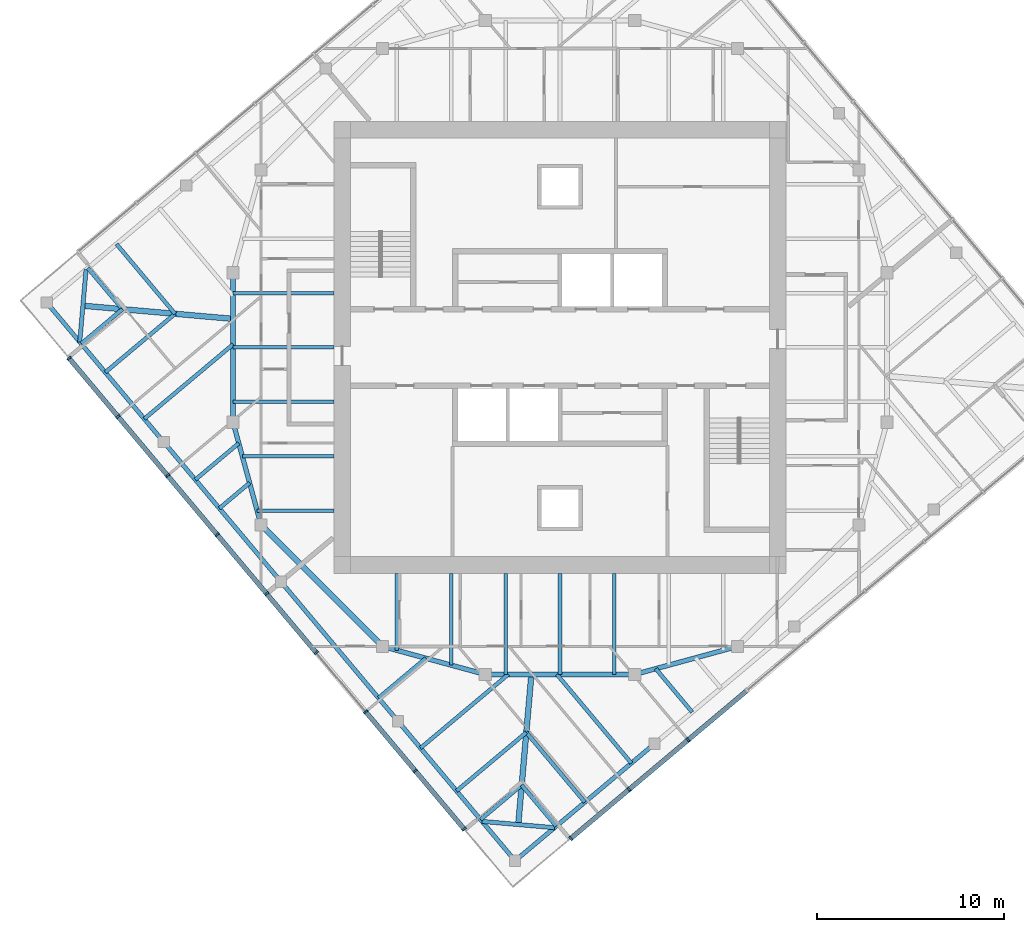
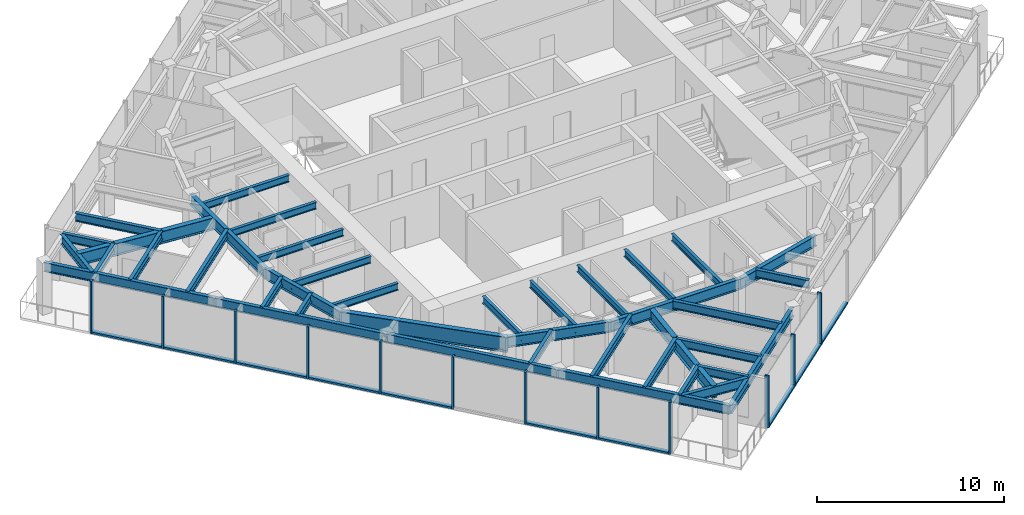
# One storey, part 2 of 12: 40 beams, 22 members, 2 elements without a shape of their own.
"""IFC4 building model written with IfcOpenShell, lengths in metres."""

from ifc_helpers import new_model, si_unit, direction, frame, origin, origin_2d, place, context, subcontext, project, spatial, rectangle, i_section, extrude, material, material_profile, profile_set, type_object, element, aggregate, save


model = new_model("IFC4")

# Units and contexts
model_context = context("Model", 3, precision=1e-05, world=origin(), true_north=direction((0.0, 1.0)))
body_context = subcontext(model_context, "Body", "Model", "MODEL_VIEW")
ifc_project = project(units=[si_unit("LENGTHUNIT", "METRE"), si_unit("AREAUNIT", "SQUARE_METRE"), si_unit("VOLUMEUNIT", "CUBIC_METRE"), si_unit("PLANEANGLEUNIT", "RADIAN"), si_unit("MASSUNIT", "GRAM", prefix="KILO")], contexts=[model_context])

# Site, building, storey
site_placement = place(None, origin())
site = spatial("IfcSite", under=ifc_project, at=site_placement, CompositionType="ELEMENT")
building_placement = place(site_placement, origin())
building = spatial("IfcBuilding", under=site, at=building_placement, Name="Torsade Residences", CompositionType="ELEMENT")
storey_placement = place(building_placement, frame((0.0, 0.0, 286.199951171875)))
storey = spatial("IfcBuildingStorey", under=building, at=storey_placement, Name="L79", CompositionType="ELEMENT", Elevation=286.199951171875)

# Beams
ifc_material_1 = material(Name="Steel grade 300", Category="steel")
ifc_material_profile_1 = material_profile(ifc_material_1, i_section(OverallWidth=0.300048828125, OverallDepth=0.800048828125, WebThickness=0.010009765625, FlangeThickness=0.02001953125, at=origin_2d()), Name="800WB146")
ifc_profile_set_1 = profile_set([ifc_material_profile_1], Name="Steel grade 300")
beam_type_1 = type_object("IfcBeamType", Name="CORNER GIRDER 800WB146", PredefinedType="BEAM", material=ifc_profile_set_1)
for number, where, z_axis, x_axis, name in (
    (1, (37.765869140625, 4.46484375, 2.85009765625), (0.087172957961, 0.996193191806, 0.0), (-0.996193191806, 0.087172957961, 0.0), "Corner girder 01 L80"),
    (2, (14.46484375, 32.234130859375, 2.85009765625), (0.996193191806, -0.087172957961, 0.0), (0.087172957961, 0.996193191806, 0.0), "Corner girder 13 L80"),
):
    element("IfcBeam", number, at=place(storey_placement, frame(where, z_axis=z_axis, x_axis=x_axis)), inside=storey, type_object=beam_type_1, Name=name, PredefinedType="BEAM", context=body_context, shape_type="SweptSolid", body=[
        extrude(i_section(OverallWidth=0.300048828125, OverallDepth=0.800048828125, WebThickness=0.010009765625, FlangeThickness=0.02001953125, at=origin_2d()), origin(), (0.0, 0.0, 1.0), 8.06591796875),
    ])
ifc_material_2 = material(Name="Steel grade 300", Category="steel")
ifc_material_profile_2 = material_profile(ifc_material_2, i_section(OverallWidth=0.22802734375, OverallDepth=0.60205078125, WebThickness=0.010498046875, FlangeThickness=0.014892578125, FilletRadius=0.013916015625, at=origin_2d()), Name="610UB101")
ifc_profile_set_2 = profile_set([ifc_material_profile_2], Name="Steel grade 300")
beam_type_2 = type_object("IfcBeamType", Name="CORNER TRIMMER 610UB101", PredefinedType="BEAM", material=ifc_profile_set_2)
for number, where, z_axis, x_axis, name in (
    (3, (39.703125, 4.29541015625, 2.948974609375), (-0.996196646947, 0.087133464362, 0.0), (-0.087133464362, -0.996196646947, 0.0), "Corner trimmer 01 L80"),
    (4, (14.29541015625, 30.296875, 2.948974609375), (0.087133464362, 0.996196646947, 0.0), (-0.996196646947, 0.087133464362, 0.0), "Corner trimmer 13 L80"),
):
    element("IfcBeam", number, at=place(storey_placement, frame(where, z_axis=z_axis, x_axis=x_axis)), inside=storey, type_object=beam_type_2, Name=name, PredefinedType="BEAM", context=body_context, shape_type="SweptSolid", body=[
        extrude(i_section(OverallWidth=0.22802734375, OverallDepth=0.60205078125, WebThickness=0.010498046875, FlangeThickness=0.014892578125, FilletRadius=0.013916015625, at=origin_2d()), origin(), (0.0, 0.0, 1.0), 3.88916015625),
    ])
ifc_material_3 = material(Name="Steel grade 300", Category="steel")
ifc_material_profile_3 = material_profile(ifc_material_3, i_section(OverallWidth=0.22802734375, OverallDepth=0.60205078125, WebThickness=0.010498046875, FlangeThickness=0.014892578125, FilletRadius=0.013916015625, at=origin_2d()), Name="610UB101")
ifc_profile_set_3 = profile_set([ifc_material_profile_3], Name="Steel grade 300")
beam_type_3 = type_object("IfcBeamType", Name="EDGE BEAM 610UB101", PredefinedType="SPANDREL", material=ifc_profile_set_3)
for number, where, z_axis, x_axis, name in (
    (5, (37.596435546875, 2.52783203125, 2.948974609375), (0.766051532934, 0.642779160279, 0.0), (-0.642779160279, 0.766051532934, 0.0), "Edge beam 01 L80"),
    (6, (12.52783203125, 32.403564453125, 2.948974609375), (0.642779160279, -0.766051532934, 0.0), (0.766051532934, 0.642779160279, 0.0), "Edge beam 13 L80"),
    (7, (18.794921875, 24.9345703125, 2.948974609375), (0.642779160279, -0.766051532934, 0.0), (0.766051532934, 0.642779160279, 0.0), "Edge beam 14 L80"),
    (8, (25.06201171875, 17.465576171875, 2.948974609375), (0.642806184154, -0.766028856906, 0.0), (0.766028856906, 0.642806184154, 0.0), "Edge beam 15 L80"),
    (9, (31.329345703125, 9.996826171875, 2.948974609375), (0.642779160279, -0.766051532934, 0.0), (0.766051532934, 0.642779160279, 0.0), "Edge beam 16 L80"),
):
    element("IfcBeam", number, at=place(storey_placement, frame(where, z_axis=z_axis, x_axis=x_axis)), inside=storey, type_object=beam_type_3, Name=name, PredefinedType="SPANDREL", context=body_context, shape_type="SweptSolid", body=[
        extrude(i_section(OverallWidth=0.22802734375, OverallDepth=0.60205078125, WebThickness=0.010498046875, FlangeThickness=0.014892578125, FilletRadius=0.013916015625, at=origin_2d()), origin(), (0.0, 0.0, 1.0), 9.75),
    ])

# Curtain wall, members
ifc_material_4 = material(Name="Aluminium and glass", Category="aluminium")
curtain_wall_type = type_object("IfcCurtainWallType", Name="FRITTED GLASS CURTAIN WALL HIGH ZONE", PredefinedType="NOTDEFINED", material=ifc_material_4)
curtain_wall_1_placement = place(storey_placement, origin())
curtain_wall_1 = element("IfcCurtainWall", 10, at=curtain_wall_1_placement, inside=storey, type_object=curtain_wall_type, Name="Curtain wall L79 face 1", PredefinedType="NOTDEFINED")
ifc_material_5 = material(Name="Aluminium mullion", Category="aluminium")
ifc_material_profile_4 = material_profile(ifc_material_5, rectangle(XDim=0.25, YDim=0.10009765625, at=origin_2d()), Name="HIGH ZONE CURTAIN WALL MULLION 250x100")
ifc_profile_set_4 = profile_set([ifc_material_profile_4], Name="Aluminium mullion")
member_type_1 = type_object("IfcMemberType", Name="HIGH ZONE CURTAIN WALL MULLION 250x100", PredefinedType="MULLION", material=ifc_profile_set_4)
member_1_placement = place(storey_placement, frame((40.57568359375, 3.72216796875, 0.0), z_axis=(0.0, 0.0, 1.0), x_axis=(-0.642787616853, 0.766044437106, 0.0)))
member_1 = element("IfcMember", 11, at=member_1_placement, type_object=member_type_1, Name="Mullion 1", PredefinedType="MULLION", context=body_context, shape_type="SweptSolid", body=[
    extrude(rectangle(XDim=0.25, YDim=0.10009765625, at=origin_2d()), origin(), (0.0, 0.0, 1.0), 3.400146484375),
])
member_2_placement = place(storey_placement, frame((43.697265625, 6.341552734375, 0.0), z_axis=(0.0, 0.0, 1.0), x_axis=(-0.642787616853, 0.766044437106, 0.0)))
member_2 = element("IfcMember", 12, at=member_2_placement, type_object=member_type_1, Name="Mullion 2", PredefinedType="MULLION", context=body_context, shape_type="SweptSolid", body=[
    extrude(rectangle(XDim=0.25, YDim=0.10009765625, at=origin_2d()), origin(), (0.0, 0.0, 1.0), 3.400146484375),
])
member_3_placement = place(storey_placement, frame((46.857177734375, 8.9931640625, 0.0), z_axis=(0.0, 0.0, 1.0), x_axis=(-0.642787616853, 0.766044437106, 0.0)))
member_3 = element("IfcMember", 13, at=member_3_placement, type_object=member_type_1, Name="Mullion 3", PredefinedType="MULLION", context=body_context, shape_type="SweptSolid", body=[
    extrude(rectangle(XDim=0.25, YDim=0.10009765625, at=origin_2d()), origin(), (0.0, 0.0, 1.0), 3.400146484375),
])

curtain_wall_2_placement = place(storey_placement, origin())
curtain_wall_2 = element("IfcCurtainWall", 14, at=curtain_wall_2_placement, inside=storey, type_object=curtain_wall_type, Name="Curtain wall L79 face 10", PredefinedType="NOTDEFINED")
member_4_placement = place(storey_placement, frame((13.72216796875, 29.42431640625, 0.0), z_axis=(0.0, 0.0, 1.0), x_axis=(0.766044437106, 0.642787616853, 0.0)))
member_4 = element("IfcMember", 15, at=member_4_placement, type_object=member_type_1, Name="Mullion 1", PredefinedType="MULLION", context=body_context, shape_type="SweptSolid", body=[
    extrude(rectangle(XDim=0.25, YDim=0.10009765625, at=origin_2d()), origin(), (0.0, 0.0, 1.0), 3.400146484375),
])
member_5_placement = place(storey_placement, frame((16.341552734375, 26.302734375, 0.0), z_axis=(0.0, 0.0, 1.0), x_axis=(0.766044437106, 0.642787616853, 0.0)))
member_5 = element("IfcMember", 16, at=member_5_placement, type_object=member_type_1, Name="Mullion 2", PredefinedType="MULLION", context=body_context, shape_type="SweptSolid", body=[
    extrude(rectangle(XDim=0.25, YDim=0.10009765625, at=origin_2d()), origin(), (0.0, 0.0, 1.0), 3.400146484375),
])
member_6_placement = place(storey_placement, frame((18.9931640625, 23.142822265625, 0.0), z_axis=(0.0, 0.0, 1.0), x_axis=(0.766044437106, 0.642787616853, 0.0)))
member_6 = element("IfcMember", 17, at=member_6_placement, type_object=member_type_1, Name="Mullion 3", PredefinedType="MULLION", context=body_context, shape_type="SweptSolid", body=[
    extrude(rectangle(XDim=0.25, YDim=0.10009765625, at=origin_2d()), origin(), (0.0, 0.0, 1.0), 3.400146484375),
])
member_7_placement = place(storey_placement, frame((21.64453125, 19.982666015625, 0.0), z_axis=(0.0, 0.0, 1.0), x_axis=(0.766044437106, 0.642787616853, 0.0)))
member_7 = element("IfcMember", 18, at=member_7_placement, type_object=member_type_1, Name="Mullion 4", PredefinedType="MULLION", context=body_context, shape_type="SweptSolid", body=[
    extrude(rectangle(XDim=0.25, YDim=0.10009765625, at=origin_2d()), origin(), (0.0, 0.0, 1.0), 3.400146484375),
])
member_8_placement = place(storey_placement, frame((24.296142578125, 16.82275390625, 0.0), z_axis=(0.0, 0.0, 1.0), x_axis=(0.766044437106, 0.642787616853, 0.0)))
member_8 = element("IfcMember", 19, at=member_8_placement, type_object=member_type_1, Name="Mullion 5", PredefinedType="MULLION", context=body_context, shape_type="SweptSolid", body=[
    extrude(rectangle(XDim=0.25, YDim=0.10009765625, at=origin_2d()), origin(), (0.0, 0.0, 1.0), 3.400146484375),
])
member_9_placement = place(storey_placement, frame((26.947509765625, 13.662841796875, 0.0), z_axis=(0.0, 0.0, 1.0), x_axis=(0.766044437106, 0.642787616853, 0.0)))
member_9 = element("IfcMember", 20, at=member_9_placement, type_object=member_type_1, Name="Mullion 6", PredefinedType="MULLION", context=body_context, shape_type="SweptSolid", body=[
    extrude(rectangle(XDim=0.25, YDim=0.10009765625, at=origin_2d()), origin(), (0.0, 0.0, 1.0), 3.400146484375),
])
member_10_placement = place(storey_placement, frame((29.59912109375, 10.5029296875, 0.0), z_axis=(0.0, 0.0, 1.0), x_axis=(0.766044437106, 0.642787616853, 0.0)))
member_10 = element("IfcMember", 21, at=member_10_placement, type_object=member_type_1, Name="Mullion 7", PredefinedType="MULLION", context=body_context, shape_type="SweptSolid", body=[
    extrude(rectangle(XDim=0.25, YDim=0.10009765625, at=origin_2d()), origin(), (0.0, 0.0, 1.0), 3.400146484375),
])
member_11_placement = place(storey_placement, frame((32.25048828125, 7.343017578125, 0.0), z_axis=(0.0, 0.0, 1.0), x_axis=(0.766044437106, 0.642787616853, 0.0)))
member_11 = element("IfcMember", 22, at=member_11_placement, type_object=member_type_1, Name="Mullion 8", PredefinedType="MULLION", context=body_context, shape_type="SweptSolid", body=[
    extrude(rectangle(XDim=0.25, YDim=0.10009765625, at=origin_2d()), origin(), (0.0, 0.0, 1.0), 3.400146484375),
])
member_12_placement = place(storey_placement, frame((34.869873046875, 4.221435546875, 0.0), z_axis=(0.0, 0.0, 1.0), x_axis=(0.766044437106, 0.642787616853, 0.0)))
member_12 = element("IfcMember", 23, at=member_12_placement, type_object=member_type_1, Name="Mullion 9", PredefinedType="MULLION", context=body_context, shape_type="SweptSolid", body=[
    extrude(rectangle(XDim=0.25, YDim=0.10009765625, at=origin_2d()), origin(), (0.0, 0.0, 1.0), 3.400146484375),
])

# Member
ifc_material_6 = material(Name="Aluminium transom", Category="aluminium")
ifc_material_profile_5 = material_profile(ifc_material_6, rectangle(XDim=0.25, YDim=0.1201171875, at=origin_2d()), Name="HIGH ZONE CURTAIN WALL TRANSOM 250x120")
ifc_profile_set_5 = profile_set([ifc_material_profile_5], Name="Aluminium transom")
member_type_2 = type_object("IfcMemberType", Name="HIGH ZONE CURTAIN WALL TRANSOM 250x120", PredefinedType="USERDEFINED", material=ifc_profile_set_5)
member_13_placement = place(storey_placement, frame((40.614013671875, 3.75439453125, 0.06005859375), z_axis=(0.766021778456, 0.642814619413, 0.0), x_axis=(-0.642814619413, 0.766021778456, 0.0)))
member_13 = element("IfcMember", 24, at=member_13_placement, type_object=member_type_2, Name="Transom 1.1", ObjectType="TRANSOM", PredefinedType="USERDEFINED", context=body_context, shape_type="SweptSolid", body=[
    extrude(rectangle(XDim=0.25, YDim=0.1201171875, at=origin_2d()), origin(), (0.0, 0.0, 1.0), 3.97509765625),
])

member_14_placement = place(storey_placement, frame((43.735595703125, 6.373779296875, 0.06005859375), z_axis=(0.766069182322, 0.6427581255, 0.0), x_axis=(-0.6427581255, 0.766069182322, 0.0)))
member_14 = element("IfcMember", 25, at=member_14_placement, type_object=member_type_2, Name="Transom 2.1", ObjectType="TRANSOM", PredefinedType="USERDEFINED", context=body_context, shape_type="SweptSolid", body=[
    extrude(rectangle(XDim=0.25, YDim=0.1201171875, at=origin_2d()), origin(), (0.0, 0.0, 1.0), 4.025146484375),
])

member_15_placement = place(storey_placement, frame((46.8955078125, 9.025146484375, 0.06005859375), z_axis=(0.766039316443, 0.642793719372, 0.0), x_axis=(-0.642793719372, 0.766039316443, 0.0)))
member_15 = element("IfcMember", 26, at=member_15_placement, type_object=member_type_2, Name="Transom 3.1", ObjectType="TRANSOM", PredefinedType="USERDEFINED", context=body_context, shape_type="SweptSolid", body=[
    extrude(rectangle(XDim=0.25, YDim=0.1201171875, at=origin_2d()), origin(), (0.0, 0.0, 1.0), 4.025146484375),
])

aggregate(curtain_wall_1, [member_1, member_2, member_3, member_13, member_14, member_15])

member_16_placement = place(storey_placement, frame((13.75439453125, 29.385986328125, 0.06005859375), z_axis=(0.642814619413, -0.766021778456, 0.0), x_axis=(0.766021778456, 0.642814619413, 0.0)))
member_16 = element("IfcMember", 27, at=member_16_placement, type_object=member_type_2, Name="Transom 1.1", ObjectType="TRANSOM", PredefinedType="USERDEFINED", context=body_context, shape_type="SweptSolid", body=[
    extrude(rectangle(XDim=0.25, YDim=0.1201171875, at=origin_2d()), origin(), (0.0, 0.0, 1.0), 3.97509765625),
])

member_17_placement = place(storey_placement, frame((16.373779296875, 26.264404296875, 0.06005859375), z_axis=(0.6427581255, -0.766069182322, 0.0), x_axis=(0.766069182322, 0.6427581255, 0.0)))
member_17 = element("IfcMember", 28, at=member_17_placement, type_object=member_type_2, Name="Transom 2.1", ObjectType="TRANSOM", PredefinedType="USERDEFINED", context=body_context, shape_type="SweptSolid", body=[
    extrude(rectangle(XDim=0.25, YDim=0.1201171875, at=origin_2d()), origin(), (0.0, 0.0, 1.0), 4.025146484375),
])

member_18_placement = place(storey_placement, frame((19.025146484375, 23.1044921875, 0.06005859375), z_axis=(0.642793719372, -0.766039316443, 0.0), x_axis=(0.766039316443, 0.642793719372, 0.0)))
member_18 = element("IfcMember", 29, at=member_18_placement, type_object=member_type_2, Name="Transom 3.1", ObjectType="TRANSOM", PredefinedType="USERDEFINED", context=body_context, shape_type="SweptSolid", body=[
    extrude(rectangle(XDim=0.25, YDim=0.1201171875, at=origin_2d()), origin(), (0.0, 0.0, 1.0), 4.025146484375),
])

member_19_placement = place(storey_placement, frame((21.6767578125, 19.944580078125, 0.06005859375), z_axis=(0.6427581255, -0.766069182322, 0.0), x_axis=(0.766069182322, 0.6427581255, 0.0)))
member_19 = element("IfcMember", 30, at=member_19_placement, type_object=member_type_2, Name="Transom 4.1", ObjectType="TRANSOM", PredefinedType="USERDEFINED", context=body_context, shape_type="SweptSolid", body=[
    extrude(rectangle(XDim=0.25, YDim=0.1201171875, at=origin_2d()), origin(), (0.0, 0.0, 1.0), 4.025146484375),
])

member_20_placement = place(storey_placement, frame((24.328125, 16.78466796875, 0.06005859375), z_axis=(0.642793719372, -0.766039316443, 0.0), x_axis=(0.766039316443, 0.642793719372, 0.0)))
member_20 = element("IfcMember", 31, at=member_20_placement, type_object=member_type_2, Name="Transom 5.1", ObjectType="TRANSOM", PredefinedType="USERDEFINED", context=body_context, shape_type="SweptSolid", body=[
    extrude(rectangle(XDim=0.25, YDim=0.1201171875, at=origin_2d()), origin(), (0.0, 0.0, 1.0), 4.025146484375),
])

member_21_placement = place(storey_placement, frame((29.63134765625, 10.464599609375, 0.06005859375), z_axis=(0.642787992616, -0.766044121803, 0.0), x_axis=(0.766044121803, 0.642787992616, 0.0)))
member_21 = element("IfcMember", 32, at=member_21_placement, type_object=member_type_2, Name="Transom 7.1", ObjectType="TRANSOM", PredefinedType="USERDEFINED", context=body_context, shape_type="SweptSolid", body=[
    extrude(rectangle(XDim=0.25, YDim=0.1201171875, at=origin_2d()), origin(), (0.0, 0.0, 1.0), 4.02490234375),
])

member_22_placement = place(storey_placement, frame((32.28271484375, 7.3046875, 0.06005859375), z_axis=(0.642814619413, -0.766021778456, 0.0), x_axis=(0.766021778456, 0.642814619413, 0.0)))
member_22 = element("IfcMember", 33, at=member_22_placement, type_object=member_type_2, Name="Transom 8.1", ObjectType="TRANSOM", PredefinedType="USERDEFINED", context=body_context, shape_type="SweptSolid", body=[
    extrude(rectangle(XDim=0.25, YDim=0.1201171875, at=origin_2d()), origin(), (0.0, 0.0, 1.0), 3.97509765625),
])

aggregate(curtain_wall_2, [member_4, member_5, member_6, member_7, member_8, member_9, member_10, member_11, member_12, member_16, member_17, member_18, member_19, member_20, member_21, member_22])

# Beams
ifc_material_7 = material(Name="Steel grade 300", Category="steel")
ifc_material_profile_6 = material_profile(ifc_material_7, i_section(OverallWidth=0.18994140625, OverallDepth=0.4541015625, WebThickness=0.008544921875, FlangeThickness=0.0126953125, FilletRadius=0.011474609375, at=origin_2d()), Name="460UB67.1")
ifc_profile_set_6 = profile_set([ifc_material_profile_6], Name="Steel grade 300")
beam_type_4 = type_object("IfcBeamType", Name="INNER FLOOR BEAM 460UB67.1", PredefinedType="JOIST", material=ifc_profile_set_6)
for number, where, z_axis, x_axis, name in (
    (34, (42.91259765625, 17.89990234375, 3.02294921875), (0.0, -1.0, 0.0), (1.0, 0.0, 0.0), "Inner floor beam IS03 L80"),
    (35, (40.0, 17.89990234375, 3.02294921875), (0.0, -1.0, 0.0), (1.0, 0.0, 0.0), "Inner floor beam IS04 L80"),
    (36, (37.08740234375, 17.89990234375, 3.02294921875), (0.0, -1.0, 0.0), (1.0, 0.0, 0.0), "Inner floor beam IS05 L80"),
):
    element("IfcBeam", number, at=place(storey_placement, frame(where, z_axis=z_axis, x_axis=x_axis)), inside=storey, type_object=beam_type_4, Name=name, PredefinedType="JOIST", context=body_context, shape_type="SweptSolid", body=[
        extrude(i_section(OverallWidth=0.18994140625, OverallDepth=0.4541015625, WebThickness=0.008544921875, FlangeThickness=0.0126953125, FilletRadius=0.011474609375, at=origin_2d()), origin(), (0.0, 0.0, 1.0), 5.39990234375),
    ])
beam_1_placement = place(storey_placement, frame((34.175048828125, 17.89990234375, 3.02294921875), z_axis=(0.0, -1.0, 0.0), x_axis=(1.0, 0.0, 0.0)))
element("IfcBeam", 37, at=beam_1_placement, inside=storey, type_object=beam_type_4, Name="Inner floor beam IS06 L80", PredefinedType="JOIST", context=body_context, shape_type="SweptSolid", body=[
    extrude(i_section(OverallWidth=0.18994140625, OverallDepth=0.4541015625, WebThickness=0.008544921875, FlangeThickness=0.0126953125, FilletRadius=0.011474609375, at=origin_2d()), origin(), (0.0, 0.0, 1.0), 4.902099609375),
])
beam_2_placement = place(storey_placement, frame((31.262451171875, 17.89990234375, 3.02294921875), z_axis=(0.0, -1.0, 0.0), x_axis=(1.0, 0.0, 0.0)))
element("IfcBeam", 38, at=beam_2_placement, inside=storey, type_object=beam_type_4, Name="Inner floor beam IS07 L80", PredefinedType="JOIST", context=body_context, shape_type="SweptSolid", body=[
    extrude(i_section(OverallWidth=0.18994140625, OverallDepth=0.4541015625, WebThickness=0.008544921875, FlangeThickness=0.0126953125, FilletRadius=0.011474609375, at=origin_2d()), origin(), (0.0, 0.0, 1.0), 4.10791015625),
])
for number, where, z_axis, x_axis, name in (
    (39, (27.89990234375, 32.91259765625, 3.02294921875), (-1.0, 0.0, 0.0), (0.0, -1.0, 0.0), "Inner floor beam IW03 L80"),
    (40, (27.89990234375, 30.0, 3.02294921875), (-1.0, 0.0, 0.0), (0.0, -1.0, 0.0), "Inner floor beam IW04 L80"),
    (41, (27.89990234375, 27.08740234375, 3.02294921875), (-1.0, 0.0, 0.0), (0.0, -1.0, 0.0), "Inner floor beam IW05 L80"),
):
    element("IfcBeam", number, at=place(storey_placement, frame(where, z_axis=z_axis, x_axis=x_axis)), inside=storey, type_object=beam_type_4, Name=name, PredefinedType="JOIST", context=body_context, shape_type="SweptSolid", body=[
        extrude(i_section(OverallWidth=0.18994140625, OverallDepth=0.4541015625, WebThickness=0.008544921875, FlangeThickness=0.0126953125, FilletRadius=0.011474609375, at=origin_2d()), origin(), (0.0, 0.0, 1.0), 5.39990234375),
    ])
beam_3_placement = place(storey_placement, frame((27.89990234375, 24.175048828125, 3.02294921875), z_axis=(-1.0, 0.0, 0.0), x_axis=(0.0, -1.0, 0.0)))
element("IfcBeam", 42, at=beam_3_placement, inside=storey, type_object=beam_type_4, Name="Inner floor beam IW06 L80", PredefinedType="JOIST", context=body_context, shape_type="SweptSolid", body=[
    extrude(i_section(OverallWidth=0.18994140625, OverallDepth=0.4541015625, WebThickness=0.008544921875, FlangeThickness=0.0126953125, FilletRadius=0.011474609375, at=origin_2d()), origin(), (0.0, 0.0, 1.0), 4.902099609375),
])
beam_4_placement = place(storey_placement, frame((27.89990234375, 21.262451171875, 3.02294921875), z_axis=(-1.0, 0.0, 0.0), x_axis=(0.0, -1.0, 0.0)))
element("IfcBeam", 43, at=beam_4_placement, inside=storey, type_object=beam_type_4, Name="Inner floor beam IW07 L80", PredefinedType="JOIST", context=body_context, shape_type="SweptSolid", body=[
    extrude(i_section(OverallWidth=0.18994140625, OverallDepth=0.4541015625, WebThickness=0.008544921875, FlangeThickness=0.0126953125, FilletRadius=0.011474609375, at=origin_2d()), origin(), (0.0, 0.0, 1.0), 4.10791015625),
])
ifc_material_8 = material(Name="Steel grade 300", Category="steel")
ifc_material_profile_7 = material_profile(ifc_material_8, i_section(OverallWidth=0.300048828125, OverallDepth=1.0, WebThickness=0.01611328125, FlangeThickness=0.028076171875, at=origin_2d()), Name="1000WB215")
ifc_profile_set_7 = profile_set([ifc_material_profile_7], Name="Steel grade 300")
beam_type_5 = type_object("IfcBeamType", Name="RING CORNER GIRDER 1000WB215", PredefinedType="BEAM", material=ifc_profile_set_7)
beam_5_placement = place(storey_placement, frame((24.0, 20.5, 2.75), z_axis=(0.707106781187, -0.707106781187, 0.0), x_axis=(0.707106781187, 0.707106781187, 0.0)))
element("IfcBeam", 44, at=beam_5_placement, inside=storey, type_object=beam_type_5, Name="Ring girder IR11 L80", PredefinedType="BEAM", context=body_context, shape_type="SweptSolid", body=[
    extrude(i_section(OverallWidth=0.300048828125, OverallDepth=1.0, WebThickness=0.01611328125, FlangeThickness=0.028076171875, at=origin_2d()), origin(), (0.0, 0.0, 1.0), 9.1923828125),
])
ifc_material_9 = material(Name="Steel grade 300", Category="steel")
ifc_material_profile_8 = material_profile(ifc_material_9, i_section(OverallWidth=0.25, OverallDepth=0.699951171875, WebThickness=0.010009765625, FlangeThickness=0.02001953125, at=origin_2d()), Name="700WB130")
ifc_profile_set_8 = profile_set([ifc_material_profile_8], Name="Steel grade 300")
beam_type_6 = type_object("IfcBeamType", Name="RING GIRDER 700WB130", PredefinedType="BEAM", material=ifc_profile_set_8)
beam_6_placement = place(storey_placement, frame((22.5, 34.0, 2.900146484375), z_axis=(0.0, -1.0, 0.0), x_axis=(1.0, 0.0, 0.0)))
element("IfcBeam", 45, at=beam_6_placement, inside=storey, type_object=beam_type_6, Name="Ring girder IR09 L80", PredefinedType="BEAM", context=body_context, shape_type="SweptSolid", body=[
    extrude(i_section(OverallWidth=0.25, OverallDepth=0.699951171875, WebThickness=0.010009765625, FlangeThickness=0.02001953125, at=origin_2d()), origin(), (0.0, 0.0, 1.0), 8.0),
])
for number, where, z_axis, x_axis, name in (
    (46, (22.5, 26.0, 2.900146484375), (0.263117405792, -0.964763821238, 0.0), (0.964763821238, 0.263117405792, 0.0), "Ring girder IR10 L80"),
    (47, (30.5, 14.0, 2.900146484375), (0.964763821238, -0.263117405792, 0.0), (0.263117405792, 0.964763821238, 0.0), "Ring girder IR12 L80"),
):
    element("IfcBeam", number, at=place(storey_placement, frame(where, z_axis=z_axis, x_axis=x_axis)), inside=storey, type_object=beam_type_6, Name=name, PredefinedType="BEAM", context=body_context, shape_type="SweptSolid", body=[
        extrude(i_section(OverallWidth=0.25, OverallDepth=0.699951171875, WebThickness=0.010009765625, FlangeThickness=0.02001953125, at=origin_2d()), origin(), (0.0, 0.0, 1.0), 5.700927734375),
    ])
beam_7_placement = place(storey_placement, frame((36.0, 12.5, 2.900146484375), z_axis=(1.0, 0.0, 0.0), x_axis=(0.0, 1.0, 0.0)))
element("IfcBeam", 48, at=beam_7_placement, inside=storey, type_object=beam_type_6, Name="Ring girder IR13 L80", PredefinedType="BEAM", context=body_context, shape_type="SweptSolid", body=[
    extrude(i_section(OverallWidth=0.25, OverallDepth=0.699951171875, WebThickness=0.010009765625, FlangeThickness=0.02001953125, at=origin_2d()), origin(), (0.0, 0.0, 1.0), 8.0),
])
beam_8_placement = place(storey_placement, frame((44.0, 12.5, 2.900146484375), z_axis=(0.964763821238, 0.263117405792, 0.0), x_axis=(-0.263117405792, 0.964763821238, 0.0)))
element("IfcBeam", 49, at=beam_8_placement, inside=storey, type_object=beam_type_6, Name="Ring girder IR14 L80", PredefinedType="BEAM", context=body_context, shape_type="SweptSolid", body=[
    extrude(i_section(OverallWidth=0.25, OverallDepth=0.699951171875, WebThickness=0.010009765625, FlangeThickness=0.02001953125, at=origin_2d()), origin(), (0.0, 0.0, 1.0), 5.700927734375),
])
ifc_material_10 = material(Name="Steel grade 300", Category="steel")
ifc_material_profile_9 = material_profile(ifc_material_10, i_section(OverallWidth=0.208984375, OverallDepth=0.532958984375, WebThickness=0.01025390625, FlangeThickness=0.015625, FilletRadius=0.013916015625, at=origin_2d()), Name="530UB92.4")
ifc_profile_set_9 = profile_set([ifc_material_profile_9], Name="Steel grade 300")
beam_type_7 = type_object("IfcBeamType", Name="SECONDARY BEAM 530UB92.4", PredefinedType="JOIST", material=ifc_profile_set_9)
beam_9_placement = place(storey_placement, frame((39.798828125, 4.375732421875, 2.983642578125), z_axis=(-0.642761807001, 0.766066093402, 0.0), x_axis=(-0.766066093402, -0.642761807001, 0.0)))
element("IfcBeam", 50, at=beam_9_placement, inside=storey, type_object=beam_type_7, Name="Floor beam FS01 L80", PredefinedType="JOIST", context=body_context, shape_type="SweptSolid", body=[
    extrude(i_section(OverallWidth=0.208984375, OverallDepth=0.532958984375, WebThickness=0.01025390625, FlangeThickness=0.015625, FilletRadius=0.013916015625, at=origin_2d()), origin(), (0.0, 0.0, 1.0), 2.875),
])
beam_10_placement = place(storey_placement, frame((41.3310546875, 5.661376953125, 2.983642578125), z_axis=(-0.642820877376, 0.766016526982, 0.0), x_axis=(-0.766016526982, -0.642820877376, 0.0)))
element("IfcBeam", 51, at=beam_10_placement, inside=storey, type_object=beam_type_7, Name="Floor beam FS02 L80", PredefinedType="JOIST", context=body_context, shape_type="SweptSolid", body=[
    extrude(i_section(OverallWidth=0.208984375, OverallDepth=0.532958984375, WebThickness=0.01025390625, FlangeThickness=0.015625, FilletRadius=0.013916015625, at=origin_2d()), origin(), (0.0, 0.0, 1.0), 4.875),
])
beam_11_placement = place(storey_placement, frame((43.820556640625, 7.75048828125, 2.983642578125), z_axis=(-0.642791209238, 0.766041422722, 0.0), x_axis=(-0.766041422722, -0.642791209238, 0.0)))
element("IfcBeam", 52, at=beam_11_placement, inside=storey, type_object=beam_type_7, Name="Floor beam FS03 L80", PredefinedType="JOIST", context=body_context, shape_type="SweptSolid", body=[
    extrude(i_section(OverallWidth=0.208984375, OverallDepth=0.532958984375, WebThickness=0.01025390625, FlangeThickness=0.015625, FilletRadius=0.013916015625, at=origin_2d()), origin(), (0.0, 0.0, 1.0), 6.199951171875),
])
beam_12_placement = place(storey_placement, frame((47.076171875, 10.482177734375, 2.983642578125), z_axis=(-0.64274480196, 0.766080361029, 0.0), x_axis=(-0.766080361029, -0.64274480196, 0.0)))
element("IfcBeam", 53, at=beam_12_placement, inside=storey, type_object=beam_type_7, Name="Floor beam FS04 L80", PredefinedType="JOIST", context=body_context, shape_type="SweptSolid", body=[
    extrude(i_section(OverallWidth=0.208984375, OverallDepth=0.532958984375, WebThickness=0.01025390625, FlangeThickness=0.015625, FilletRadius=0.013916015625, at=origin_2d()), origin(), (0.0, 0.0, 1.0), 3.03466796875),
])
beam_13_placement = place(storey_placement, frame((16.26220703125, 35.537109375, 2.983642578125), z_axis=(0.642791490223, -0.766041186946, 0.0), x_axis=(0.766041186946, 0.642791490223, 0.0)))
element("IfcBeam", 54, at=beam_13_placement, inside=storey, type_object=beam_type_7, Name="Floor beam FN11 L80", PredefinedType="JOIST", context=body_context, shape_type="SweptSolid", body=[
    extrude(i_section(OverallWidth=0.208984375, OverallDepth=0.532958984375, WebThickness=0.01025390625, FlangeThickness=0.015625, FilletRadius=0.013916015625, at=origin_2d()), origin(), (0.0, 0.0, 1.0), 4.875),
])
for number, where, z_axis, x_axis, name in (
    (55, (14.730224609375, 34.25146484375, 2.983642578125), (0.642761807001, -0.766066093402, 0.0), (0.766066093402, 0.642761807001, 0.0), "Floor beam FN12 L80"),
    (56, (14.375732421875, 30.201171875, 2.983642578125), (0.766066093402, 0.642761807001, 0.0), (-0.642761807001, 0.766066093402, 0.0), "Floor beam FW01 L80"),
):
    element("IfcBeam", number, at=place(storey_placement, frame(where, z_axis=z_axis, x_axis=x_axis)), inside=storey, type_object=beam_type_7, Name=name, PredefinedType="JOIST", context=body_context, shape_type="SweptSolid", body=[
        extrude(i_section(OverallWidth=0.208984375, OverallDepth=0.532958984375, WebThickness=0.01025390625, FlangeThickness=0.015625, FilletRadius=0.013916015625, at=origin_2d()), origin(), (0.0, 0.0, 1.0), 2.875),
    ])
beam_14_placement = place(storey_placement, frame((15.661376953125, 28.6689453125, 2.983642578125), z_axis=(0.766016526982, 0.642820877376, 0.0), x_axis=(-0.642820877376, 0.766016526982, 0.0)))
element("IfcBeam", 57, at=beam_14_placement, inside=storey, type_object=beam_type_7, Name="Floor beam FW02 L80", PredefinedType="JOIST", context=body_context, shape_type="SweptSolid", body=[
    extrude(i_section(OverallWidth=0.208984375, OverallDepth=0.532958984375, WebThickness=0.01025390625, FlangeThickness=0.015625, FilletRadius=0.013916015625, at=origin_2d()), origin(), (0.0, 0.0, 1.0), 4.875),
])
beam_15_placement = place(storey_placement, frame((17.75048828125, 26.179443359375, 2.983642578125), z_axis=(0.766041422722, 0.642791209238, 0.0), x_axis=(-0.642791209238, 0.766041422722, 0.0)))
element("IfcBeam", 58, at=beam_15_placement, inside=storey, type_object=beam_type_7, Name="Floor beam FW03 L80", PredefinedType="JOIST", context=body_context, shape_type="SweptSolid", body=[
    extrude(i_section(OverallWidth=0.208984375, OverallDepth=0.532958984375, WebThickness=0.01025390625, FlangeThickness=0.015625, FilletRadius=0.013916015625, at=origin_2d()), origin(), (0.0, 0.0, 1.0), 6.199951171875),
])
beam_16_placement = place(storey_placement, frame((20.482177734375, 22.923828125, 2.983642578125), z_axis=(0.766080361029, 0.64274480196, 0.0), x_axis=(-0.64274480196, 0.766080361029, 0.0)))
element("IfcBeam", 59, at=beam_16_placement, inside=storey, type_object=beam_type_7, Name="Floor beam FW04 L80", PredefinedType="JOIST", context=body_context, shape_type="SweptSolid", body=[
    extrude(i_section(OverallWidth=0.208984375, OverallDepth=0.532958984375, WebThickness=0.01025390625, FlangeThickness=0.015625, FilletRadius=0.013916015625, at=origin_2d()), origin(), (0.0, 0.0, 1.0), 3.03466796875),
])
beam_17_placement = place(storey_placement, frame((21.767822265625, 21.3916015625, 2.983642578125), z_axis=(0.766057560226, 0.642771977004, 0.0), x_axis=(-0.642771977004, 0.766057560226, 0.0)))
element("IfcBeam", 60, at=beam_17_placement, inside=storey, type_object=beam_type_7, Name="Floor beam FW05 L80", PredefinedType="JOIST", context=body_context, shape_type="SweptSolid", body=[
    extrude(i_section(OverallWidth=0.208984375, OverallDepth=0.532958984375, WebThickness=0.01025390625, FlangeThickness=0.015625, FilletRadius=0.013916015625, at=origin_2d()), origin(), (0.0, 0.0, 1.0), 2.113037109375),
])
beam_18_placement = place(storey_placement, frame((30.28466796875, 11.241455078125, 2.983642578125), z_axis=(0.766044990879, 0.642786956891, 0.0), x_axis=(-0.642786956891, 0.766044990879, 0.0)))
element("IfcBeam", 61, at=beam_18_placement, inside=storey, type_object=beam_type_7, Name="Floor beam FW09 L80", PredefinedType="JOIST", context=body_context, shape_type="SweptSolid", body=[
    extrude(i_section(OverallWidth=0.208984375, OverallDepth=0.532958984375, WebThickness=0.01025390625, FlangeThickness=0.015625, FilletRadius=0.013916015625, at=origin_2d()), origin(), (0.0, 0.0, 1.0), 3.307861328125),
])
beam_19_placement = place(storey_placement, frame((32.534423828125, 8.560302734375, 2.983642578125), z_axis=(0.766039049329, 0.642794037701, 0.0), x_axis=(-0.642794037701, 0.766039049329, 0.0)))
element("IfcBeam", 62, at=beam_19_placement, inside=storey, type_object=beam_type_7, Name="Floor beam FW10 L80", PredefinedType="JOIST", context=body_context, shape_type="SweptSolid", body=[
    extrude(i_section(OverallWidth=0.208984375, OverallDepth=0.532958984375, WebThickness=0.01025390625, FlangeThickness=0.015625, FilletRadius=0.013916015625, at=origin_2d()), origin(), (0.0, 0.0, 1.0), 6.12890625),
])
beam_20_placement = place(storey_placement, frame((34.462890625, 6.26220703125, 2.983642578125), z_axis=(0.766041186946, 0.642791490223, 0.0), x_axis=(-0.642791490223, 0.766041186946, 0.0)))
element("IfcBeam", 63, at=beam_20_placement, inside=storey, type_object=beam_type_7, Name="Floor beam FW11 L80", PredefinedType="JOIST", context=body_context, shape_type="SweptSolid", body=[
    extrude(i_section(OverallWidth=0.208984375, OverallDepth=0.532958984375, WebThickness=0.01025390625, FlangeThickness=0.015625, FilletRadius=0.013916015625, at=origin_2d()), origin(), (0.0, 0.0, 1.0), 4.875),
])
beam_21_placement = place(storey_placement, frame((35.74853515625, 4.730224609375, 2.983642578125), z_axis=(0.766066093402, 0.642761807001, 0.0), x_axis=(-0.642761807001, 0.766066093402, 0.0)))
element("IfcBeam", 64, at=beam_21_placement, inside=storey, type_object=beam_type_7, Name="Floor beam FW12 L80", PredefinedType="JOIST", context=body_context, shape_type="SweptSolid", body=[
    extrude(i_section(OverallWidth=0.208984375, OverallDepth=0.532958984375, WebThickness=0.01025390625, FlangeThickness=0.015625, FilletRadius=0.013916015625, at=origin_2d()), origin(), (0.0, 0.0, 1.0), 2.875),
])

save(model, "model.ifc")
